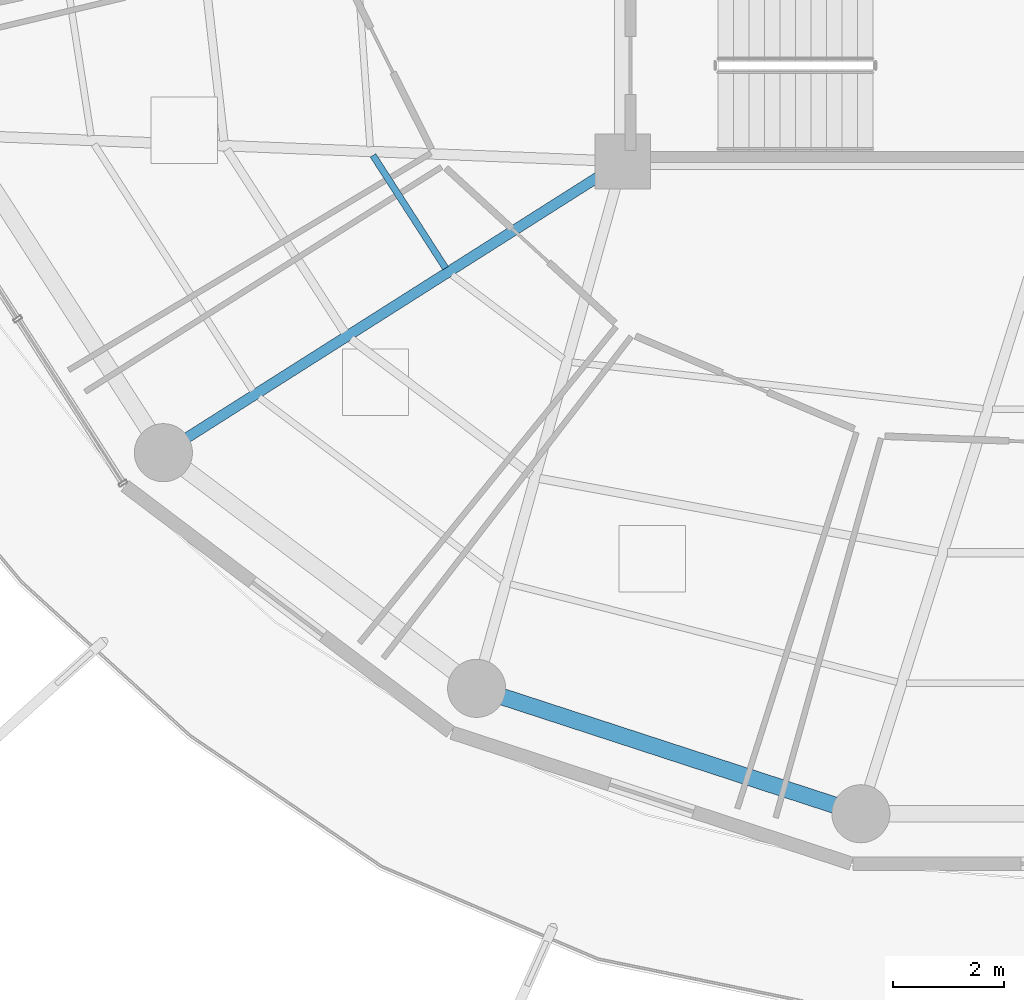
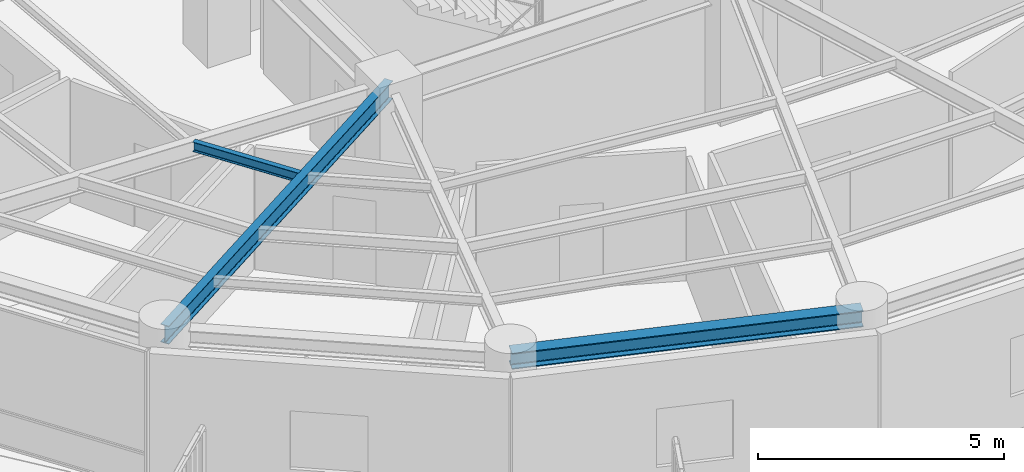
# One storey, part 3 of 31: 3 beams.
"""IFC4 building model written with IfcOpenShell, lengths in metres."""

from ifc_helpers import new_model, si_unit, direction, frame, origin, origin_2d, place, context, subcontext, project, spatial, i_section, extrude, material, material_profile, profile_set, type_object, element, save


model = new_model("IFC4")

# Units and contexts
model_context = context("Model", 3, precision=1e-05, world=origin(), true_north=direction((0.0, 1.0)))
body_context = subcontext(model_context, "Body", "Model", "MODEL_VIEW")
ifc_project = project(units=[si_unit("LENGTHUNIT", "METRE"), si_unit("AREAUNIT", "SQUARE_METRE"), si_unit("VOLUMEUNIT", "CUBIC_METRE"), si_unit("PLANEANGLEUNIT", "RADIAN"), si_unit("MASSUNIT", "GRAM", prefix="KILO")], contexts=[model_context])

# Site, building, storey
site_placement = place(None, origin())
site = spatial("IfcSite", under=ifc_project, at=site_placement, CompositionType="ELEMENT")
building_placement = place(site_placement, origin())
building = spatial("IfcBuilding", under=site, at=building_placement, Name="Kelanora Arch Commons", CompositionType="ELEMENT")
storey_placement = place(building_placement, frame((0.0, 0.0, 223.199951171875)))
storey = spatial("IfcBuildingStorey", under=building, at=storey_placement, Name="L57", CompositionType="ELEMENT", Elevation=223.199951171875)

# Beams
ifc_material = material(Name="Steel S355", Category="steel")
ifc_material_profile_1 = material_profile(ifc_material, i_section(OverallWidth=0.1201171875, OverallDepth=0.239990234375, WebThickness=0.006103515625, FlangeThickness=0.009765625, FilletRadius=0.014892578125, at=origin_2d()), Name="IPE240")
ifc_profile_set_1 = profile_set([ifc_material_profile_1], Name="Steel S355")
beam_type_1 = type_object("IfcBeamType", Name="BM-JST-02", PredefinedType="JOIST", material=ifc_profile_set_1)
beam_1_placement = place(storey_placement, frame((61.4873046875, 51.10888671875, 3.3701171875), z_axis=(0.541332763503, -0.840808443796, 0.0), x_axis=(0.840808443796, 0.541332763503, 0.0)))
element("IfcBeam", 1, at=beam_1_placement, inside=storey, type_object=beam_type_1, Name="Secondary Chord Joist BJA-20 L57", PredefinedType="JOIST", context=body_context, shape_type="SweptSolid", body=[
    extrude(i_section(OverallWidth=0.1201171875, OverallDepth=0.239990234375, WebThickness=0.006103515625, FlangeThickness=0.009765625, FilletRadius=0.014892578125, at=origin_2d()), origin(), (0.0, 0.0, 1.0), 2.423583984375),
])
ifc_material_profile_2 = material_profile(ifc_material, i_section(OverallWidth=0.18994140625, OverallDepth=0.449951171875, WebThickness=0.009521484375, FlangeThickness=0.0146484375, FilletRadius=0.02099609375, at=origin_2d()), Name="IPE450")
ifc_profile_set_2 = profile_set([ifc_material_profile_2], Name="Steel S355")
beam_type_2 = type_object("IfcBeamType", Name="BM-RAD-Z4", PredefinedType="BEAM", material=ifc_profile_set_2)
beam_2_placement = place(storey_placement, frame((66.0, 51.0, 3.26513671875), z_axis=(-0.844507208607, -0.535544185489, 0.0), x_axis=(0.535544185489, -0.844507208607, 0.0)))
element("IfcBeam", 2, at=beam_2_placement, inside=storey, type_object=beam_type_2, Name="Radial Floor Girder BR-22 L57", PredefinedType="BEAM", context=body_context, shape_type="SweptSolid", body=[
    extrude(i_section(OverallWidth=0.18994140625, OverallDepth=0.449951171875, WebThickness=0.009521484375, FlangeThickness=0.0146484375, FilletRadius=0.02099609375, at=origin_2d()), origin(), (0.0, 0.0, 1.0), 9.830078125),
])
ifc_material_profile_3 = material_profile(ifc_material, i_section(OverallWidth=0.300048828125, OverallDepth=0.39990234375, WebThickness=0.013427734375, FlangeThickness=0.02392578125, FilletRadius=0.027099609375, at=origin_2d()), Name="HEB400")
ifc_profile_set_3 = profile_set([ifc_material_profile_3], Name="Steel S355")
beam_type_3 = type_object("IfcBeamType", Name="BM-SPN-Z4", PredefinedType="SPANDREL", material=ifc_profile_set_3)
beam_3_placement = place(storey_placement, frame((63.360107421875, 41.476318359375, 3.2900390625), z_axis=(0.950656361143, -0.310245842872, 0.0), x_axis=(0.310245842872, 0.950656361143, 0.0)))
element("IfcBeam", 3, at=beam_3_placement, inside=storey, type_object=beam_type_3, Name="Perimeter Spandrel Beam BS-24 L57", PredefinedType="SPANDREL", context=body_context, shape_type="SweptSolid", body=[
    extrude(i_section(OverallWidth=0.300048828125, OverallDepth=0.39990234375, WebThickness=0.013427734375, FlangeThickness=0.02392578125, FilletRadius=0.027099609375, at=origin_2d()), origin(), (0.0, 0.0, 1.0), 7.304931640625),
])

save(model, "model.ifc")
